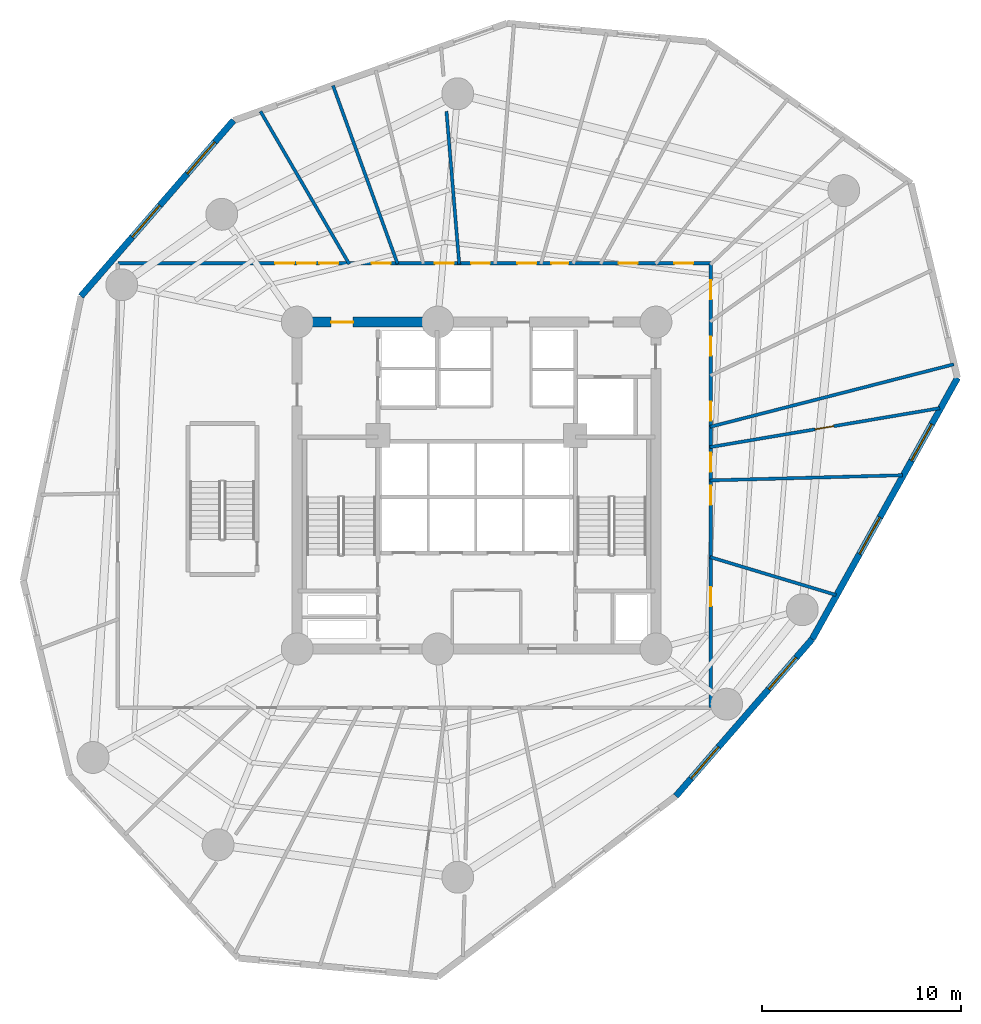
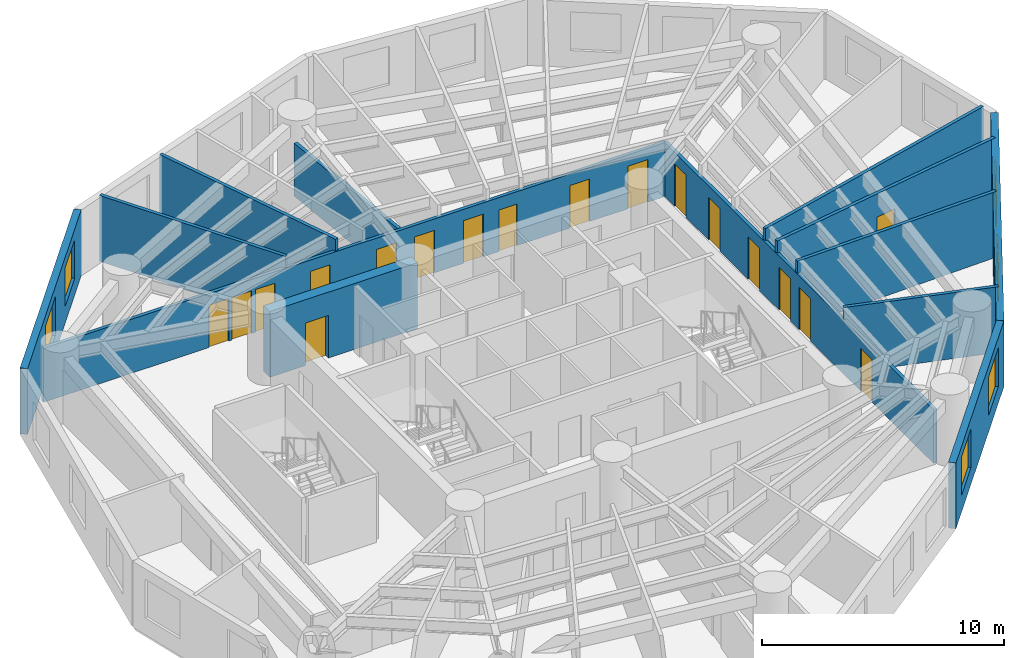
# One storey, part 5 of 8: 18 doors, 13 walls, 6 windows, 24 openings.
"""IFC4 building model written with IfcOpenShell, lengths in metres."""

from ifc_helpers import new_model, si_unit, direction, frame, frame_2d, origin, origin_with_axes, place, context, subcontext, project, spatial, rectangle, extrude, source, transform, mapped, material, layer, layer_set, type_object, element, fill, save


model = new_model("IFC4")

# Units and contexts
model_context = context("Model", 3, precision=1e-05, world=origin(), true_north=direction((0.0, 1.0)))
body_context = subcontext(model_context, "Body", "Model", "MODEL_VIEW")
ifc_project = project(units=[si_unit("LENGTHUNIT", "METRE"), si_unit("AREAUNIT", "SQUARE_METRE"), si_unit("VOLUMEUNIT", "CUBIC_METRE"), si_unit("PLANEANGLEUNIT", "RADIAN"), si_unit("MASSUNIT", "GRAM", prefix="KILO")], contexts=[model_context])

# Site, building, storey
site_placement = place(None, origin())
site = spatial("IfcSite", under=ifc_project, at=site_placement, CompositionType="ELEMENT")
building_placement = place(site_placement, origin())
building = spatial("IfcBuilding", under=site, at=building_placement, Name="Karkom Vertical University and Central Library", CompositionType="ELEMENT")
storey_placement = place(building_placement, frame((0.0, 0.0, 84.10009765625)))
storey = spatial("IfcBuildingStorey", under=building, at=storey_placement, Name="L22", CompositionType="ELEMENT", Elevation=84.10009765625)

# Wall, openings, windows
ifc_material_1 = material(Name="Brick-faced precast concrete C45/55", Category="masonry")
ifc_layer_1 = layer(ifc_material_1, 0.320068359375)
ifc_layer_set_1 = layer_set([ifc_layer_1], Name="Brick-faced precast concrete C45/55")
wall_type_1 = type_object("IfcWallType", Name="ENV-WL-BRK-320", PredefinedType="SOLIDWALL", material=ifc_layer_set_1)
wall_1_placement = place(storey_placement, frame((16.306884765625, 44.819091796875, 0.0), z_axis=(0.0, 0.0, 1.0), x_axis=(-0.655537404489, -0.755162705194, 0.0)))
wall_1 = element("IfcWall", 1, at=wall_1_placement, inside=storey, type_object=wall_type_1, Name="Level 22 Brick-Faced Precast Facade Wall 01", PredefinedType="SOLIDWALL", context=body_context, shape_type="SweptSolid", body=[
    extrude(rectangle(XDim=11.681884765625, YDim=0.320068359375, at=frame_2d((5.8408203125, 0.0))), origin(), (0.0, 0.0, 1.0), 3.324951171875),
])
opening_1_placement = place(wall_1_placement, frame((1.4365234375, 0.0, 0.85009765625)))
opening_1 = element("IfcOpeningElement", 2, at=opening_1_placement, cuts=wall_1, Name="Opening WN-03", PredefinedType="OPENING", context=body_context, shape_type="SweptSolid", body=[
    extrude(rectangle(XDim=2.10009765625, YDim=1.949951171875, at=frame_2d((1.050048828125, 0.97509765625))), frame((0.0, 0.169921875, 0.0), z_axis=(0.0, -1.0, 0.0), x_axis=(1.0, 0.0, 0.0)), (0.0, 0.0, 1.0), 0.340087890625),
])
opening_2_placement = place(wall_1_placement, frame((5.649658203125, 0.0, 0.85009765625)))
opening_2 = element("IfcOpeningElement", 3, at=opening_2_placement, cuts=wall_1, Name="Opening WN-03", PredefinedType="OPENING", context=body_context, shape_type="SweptSolid", body=[
    extrude(rectangle(XDim=2.10009765625, YDim=1.949951171875, at=frame_2d((1.050048828125, 0.97509765625))), frame((0.0, 0.169921875, 0.0), z_axis=(0.0, -1.0, 0.0), x_axis=(1.0, 0.0, 0.0)), (0.0, 0.0, 1.0), 0.340087890625),
])
ifc_material_2 = material(Name="Aluminium thermal-break frame with solar-control IGU", Category="aluminium")
window_type = type_object("IfcWindowType", Name="ENV-WIN-WN-03", PartitioningType="SINGLE_PANEL", PredefinedType="WINDOW", material=ifc_material_2)
shared_shape_1 = source(origin_with_axes(), body_context, "Body", "SweptSolid", [
    extrude(rectangle(XDim=2.10009765625, YDim=1.949951171875, at=frame_2d((1.050048828125, 0.97509765625))), frame((0.0, 0.030029296875, 0.0), z_axis=(0.0, -1.0, 0.0), x_axis=(1.0, 0.0, 0.0)), (0.0, 0.0, 1.0), 0.06005859375),
])
window_1_placement = place(opening_1_placement, origin())
window_1 = element("IfcWindow", 4, at=window_1_placement, inside=storey, type_object=window_type, Name="Level 22 Punched Window 1.1", OverallHeight=1.949951171875, OverallWidth=2.10009765625, PartitioningType="SINGLE_PANEL", PredefinedType="WINDOW", context=body_context, shape_type="MappedRepresentation", body=[
    mapped(shared_shape_1, transform((0.0, 0.0, 0.0), scale=1.0)),
])
fill(opening_1, window_1)
window_2_placement = place(opening_2_placement, origin())
window_2 = element("IfcWindow", 5, at=window_2_placement, inside=storey, type_object=window_type, Name="Level 22 Punched Window 1.2", OverallHeight=1.949951171875, OverallWidth=2.10009765625, PartitioningType="SINGLE_PANEL", PredefinedType="WINDOW", context=body_context, shape_type="MappedRepresentation", body=[
    mapped(shared_shape_1, transform((0.0, 0.0, 0.0), scale=1.0)),
])
fill(opening_2, window_2)

wall_2_placement = place(storey_placement, frame((38.4970703125, 10.916259765625, 0.0), z_axis=(0.0, 0.0, 1.0), x_axis=(0.655526512459, 0.755172160148, 0.0)))
wall_2 = element("IfcWall", 6, at=wall_2_placement, inside=storey, type_object=wall_type_1, Name="Level 22 Brick-Faced Precast Facade Wall 07", PredefinedType="SOLIDWALL", context=body_context, shape_type="SweptSolid", body=[
    extrude(rectangle(XDim=10.429931640625, YDim=0.320068359375, at=frame_2d((5.21484375, 0.0))), origin(), (0.0, 0.0, 1.0), 3.324951171875),
])
opening_3_placement = place(wall_2_placement, frame((1.16748046875, 0.0, 0.85009765625)))
opening_3 = element("IfcOpeningElement", 7, at=opening_3_placement, cuts=wall_2, Name="Opening WN-03", PredefinedType="OPENING", context=body_context, shape_type="SweptSolid", body=[
    extrude(rectangle(XDim=2.10009765625, YDim=1.949951171875, at=frame_2d((1.050048828125, 0.97509765625))), frame((0.0, 0.169921875, 0.0), z_axis=(0.0, -1.0, 0.0), x_axis=(1.0, 0.0, 0.0)), (0.0, 0.0, 1.0), 0.340087890625),
])
opening_4_placement = place(wall_2_placement, frame((7.1025390625, 0.0, 0.85009765625)))
opening_4 = element("IfcOpeningElement", 8, at=opening_4_placement, cuts=wall_2, Name="Opening WN-03", PredefinedType="OPENING", context=body_context, shape_type="SweptSolid", body=[
    extrude(rectangle(XDim=2.10009765625, YDim=1.949951171875, at=frame_2d((1.050048828125, 0.97509765625))), frame((0.0, 0.169921875, 0.0), z_axis=(0.0, -1.0, 0.0), x_axis=(1.0, 0.0, 0.0)), (0.0, 0.0, 1.0), 0.340087890625),
])
window_3_placement = place(opening_3_placement, origin())
window_3 = element("IfcWindow", 9, at=window_3_placement, inside=storey, type_object=window_type, Name="Level 22 Punched Window 7.1", OverallHeight=1.949951171875, OverallWidth=2.10009765625, PartitioningType="SINGLE_PANEL", PredefinedType="WINDOW", context=body_context, shape_type="MappedRepresentation", body=[
    mapped(shared_shape_1, transform((0.0, 0.0, 0.0), scale=1.0)),
])
fill(opening_3, window_3)
window_4_placement = place(opening_4_placement, origin())
window_4 = element("IfcWindow", 10, at=window_4_placement, inside=storey, type_object=window_type, Name="Level 22 Punched Window 7.2", OverallHeight=1.949951171875, OverallWidth=2.10009765625, PartitioningType="SINGLE_PANEL", PredefinedType="WINDOW", context=body_context, shape_type="MappedRepresentation", body=[
    mapped(shared_shape_1, transform((0.0, 0.0, 0.0), scale=1.0)),
])
fill(opening_4, window_4)

wall_3_placement = place(storey_placement, frame((45.334228515625, 18.792724609375, 0.0), z_axis=(0.0, 0.0, 1.0), x_axis=(0.486333635772, 0.873773194094, 0.0)))
wall_3 = element("IfcWall", 11, at=wall_3_placement, inside=storey, type_object=wall_type_1, Name="Level 22 Brick-Faced Precast Facade Wall 08", PredefinedType="SOLIDWALL", context=body_context, shape_type="SweptSolid", body=[
    extrude(rectangle(XDim=15.00244140625, YDim=0.320068359375, at=frame_2d((7.501220703125, 0.0))), origin(), (0.0, 0.0, 1.0), 3.324951171875),
])
opening_5_placement = place(wall_3_placement, frame((4.893310546875, 0.0, 0.85009765625)))
opening_5 = element("IfcOpeningElement", 12, at=opening_5_placement, cuts=wall_3, Name="Opening WN-03", PredefinedType="OPENING", context=body_context, shape_type="SweptSolid", body=[
    extrude(rectangle(XDim=2.10009765625, YDim=1.949951171875, at=frame_2d((1.050048828125, 0.97509765625))), frame((0.0, 0.169921875, 0.0), z_axis=(0.0, -1.0, 0.0), x_axis=(1.0, 0.0, 0.0)), (0.0, 0.0, 1.0), 0.340087890625),
])
opening_6_placement = place(wall_3_placement, frame((10.24609375, 0.0, 0.85009765625)))
opening_6 = element("IfcOpeningElement", 13, at=opening_6_placement, cuts=wall_3, Name="Opening WN-03", PredefinedType="OPENING", context=body_context, shape_type="SweptSolid", body=[
    extrude(rectangle(XDim=2.10009765625, YDim=1.949951171875, at=frame_2d((1.050048828125, 0.97509765625))), frame((0.0, 0.169921875, 0.0), z_axis=(0.0, -1.0, 0.0), x_axis=(1.0, 0.0, 0.0)), (0.0, 0.0, 1.0), 0.340087890625),
])
window_5_placement = place(opening_5_placement, origin())
window_5 = element("IfcWindow", 14, at=window_5_placement, inside=storey, type_object=window_type, Name="Level 22 Punched Window 8.1", OverallHeight=1.949951171875, OverallWidth=2.10009765625, PartitioningType="SINGLE_PANEL", PredefinedType="WINDOW", context=body_context, shape_type="MappedRepresentation", body=[
    mapped(shared_shape_1, transform((0.0, 0.0, 0.0), scale=1.0)),
])
fill(opening_5, window_5)
window_6_placement = place(opening_6_placement, origin())
window_6 = element("IfcWindow", 15, at=window_6_placement, inside=storey, type_object=window_type, Name="Level 22 Punched Window 8.2", OverallHeight=1.949951171875, OverallWidth=2.10009765625, PartitioningType="SINGLE_PANEL", PredefinedType="WINDOW", context=body_context, shape_type="MappedRepresentation", body=[
    mapped(shared_shape_1, transform((0.0, 0.0, 0.0), scale=1.0)),
])
fill(opening_6, window_6)

# Wall, openings, doors
ifc_material_3 = material(Name="Insulated metal-stud drywall 160mm", Category="gypsum")
ifc_layer_2 = layer(ifc_material_3, 0.159912109375)
ifc_layer_set_2 = layer_set([ifc_layer_2], Name="Insulated metal-stud drywall 160mm")
wall_type_2 = type_object("IfcWallType", Name="INT-WL-COR-160", PredefinedType="PARTITIONING", material=ifc_layer_set_2)
wall_4_placement = place(storey_placement, frame((10.5, 37.64990234375, 0.0), z_axis=(0.0, 0.0, 1.0), x_axis=(1.0, 0.0, 0.0)))
wall_4 = element("IfcWall", 16, at=wall_4_placement, inside=storey, type_object=wall_type_2, Name="Level 22 Interior Partition Wall L22-CORW-CW-003", PredefinedType="PARTITIONING", context=body_context, shape_type="SweptSolid", body=[
    extrude(rectangle(XDim=29.75, YDim=0.159912109375, at=frame_2d((14.875, 0.0))), origin(), (0.0, 0.0, 1.0), 2.724853515625),
])
opening_7_placement = place(wall_4_placement, frame((27.918212890625, 0.0, 0.0)))
opening_7 = element("IfcOpeningElement", 17, at=opening_7_placement, cuts=wall_4, Name="Opening D-RM1", PredefinedType="OPENING", context=body_context, shape_type="SweptSolid", body=[
    extrude(rectangle(XDim=0.949951171875, YDim=2.14990234375, at=frame_2d((0.47509765625, 1.074951171875))), frame((0.0, 0.08984375, 0.0), z_axis=(0.0, -1.0, 0.0), x_axis=(1.0, 0.0, 0.0)), (0.0, 0.0, 1.0), 0.179931640625),
])
opening_8_placement = place(wall_4_placement, frame((25.129150390625, 0.0, 0.0)))
opening_8 = element("IfcOpeningElement", 18, at=opening_8_placement, cuts=wall_4, Name="Opening D-RM1", PredefinedType="OPENING", context=body_context, shape_type="SweptSolid", body=[
    extrude(rectangle(XDim=0.949951171875, YDim=2.14990234375, at=frame_2d((0.47509765625, 1.074951171875))), frame((0.0, 0.08984375, 0.0), z_axis=(0.0, -1.0, 0.0), x_axis=(1.0, 0.0, 0.0)), (0.0, 0.0, 1.0), 0.179931640625),
])
opening_9_placement = place(wall_4_placement, frame((21.74755859375, 0.0, 0.0)))
opening_9 = element("IfcOpeningElement", 19, at=opening_9_placement, cuts=wall_4, Name="Opening D-BATH", PredefinedType="OPENING", context=body_context, shape_type="SweptSolid", body=[
    extrude(rectangle(XDim=0.860107421875, YDim=2.10009765625, at=frame_2d((0.43017578125, 1.050048828125))), frame((0.0, 0.08984375, 0.0), z_axis=(0.0, -1.0, 0.0), x_axis=(1.0, 0.0, 0.0)), (0.0, 0.0, 1.0), 0.179931640625),
])
opening_10_placement = place(wall_4_placement, frame((20.047607421875, 0.0, 0.0)))
opening_10 = element("IfcOpeningElement", 20, at=opening_10_placement, cuts=wall_4, Name="Opening D-RM1", PredefinedType="OPENING", context=body_context, shape_type="SweptSolid", body=[
    extrude(rectangle(XDim=0.949951171875, YDim=2.14990234375, at=frame_2d((0.47509765625, 1.074951171875))), frame((0.0, 0.08984375, 0.0), z_axis=(0.0, -1.0, 0.0), x_axis=(1.0, 0.0, 0.0)), (0.0, 0.0, 1.0), 0.179931640625),
])
opening_11_placement = place(wall_4_placement, frame((17.722412109375, 0.0, 0.0)))
opening_11 = element("IfcOpeningElement", 21, at=opening_11_placement, cuts=wall_4, Name="Opening D-RM1", PredefinedType="OPENING", context=body_context, shape_type="SweptSolid", body=[
    extrude(rectangle(XDim=0.949951171875, YDim=2.14990234375, at=frame_2d((0.47509765625, 1.074951171875))), frame((0.0, 0.08984375, 0.0), z_axis=(0.0, -1.0, 0.0), x_axis=(1.0, 0.0, 0.0)), (0.0, 0.0, 1.0), 0.179931640625),
])
opening_12_placement = place(wall_4_placement, frame((15.905517578125, 0.0, 0.0)))
opening_12 = element("IfcOpeningElement", 22, at=opening_12_placement, cuts=wall_4, Name="Opening D-RM1", PredefinedType="OPENING", context=body_context, shape_type="SweptSolid", body=[
    extrude(rectangle(XDim=0.949951171875, YDim=2.14990234375, at=frame_2d((0.47509765625, 1.074951171875))), frame((0.0, 0.08984375, 0.0), z_axis=(0.0, -1.0, 0.0), x_axis=(1.0, 0.0, 0.0)), (0.0, 0.0, 1.0), 0.179931640625),
])
opening_13_placement = place(wall_4_placement, frame((12.734619140625, 0.0, 0.0)))
opening_13 = element("IfcOpeningElement", 23, at=opening_13_placement, cuts=wall_4, Name="Opening D-RM1", PredefinedType="OPENING", context=body_context, shape_type="SweptSolid", body=[
    extrude(rectangle(XDim=0.949951171875, YDim=2.14990234375, at=frame_2d((0.47509765625, 1.074951171875))), frame((0.0, 0.08984375, 0.0), z_axis=(0.0, -1.0, 0.0), x_axis=(1.0, 0.0, 0.0)), (0.0, 0.0, 1.0), 0.179931640625),
])
opening_14_placement = place(wall_4_placement, frame((10.110107421875, 0.0, 0.0)))
opening_14 = element("IfcOpeningElement", 24, at=opening_14_placement, cuts=wall_4, Name="Opening D-RM1", PredefinedType="OPENING", context=body_context, shape_type="SweptSolid", body=[
    extrude(rectangle(XDim=0.949951171875, YDim=2.14990234375, at=frame_2d((0.47509765625, 1.074951171875))), frame((0.0, 0.08984375, 0.0), z_axis=(0.0, -1.0, 0.0), x_axis=(1.0, 0.0, 0.0)), (0.0, 0.0, 1.0), 0.179931640625),
])
opening_15_placement = place(wall_4_placement, frame((8.989990234375, 0.0, 0.0)))
opening_15 = element("IfcOpeningElement", 25, at=opening_15_placement, cuts=wall_4, Name="Opening D-RM1", PredefinedType="OPENING", context=body_context, shape_type="SweptSolid", body=[
    extrude(rectangle(XDim=0.949951171875, YDim=2.14990234375, at=frame_2d((0.47509765625, 1.074951171875))), frame((0.0, 0.08984375, 0.0), z_axis=(0.0, -1.0, 0.0), x_axis=(1.0, 0.0, 0.0)), (0.0, 0.0, 1.0), 0.179931640625),
])
opening_16_placement = place(wall_4_placement, frame((7.8974609375, 0.0, 0.0)))
opening_16 = element("IfcOpeningElement", 26, at=opening_16_placement, cuts=wall_4, Name="Opening D-RM1", PredefinedType="OPENING", context=body_context, shape_type="SweptSolid", body=[
    extrude(rectangle(XDim=0.949951171875, YDim=2.14990234375, at=frame_2d((0.47509765625, 1.074951171875))), frame((0.0, 0.08984375, 0.0), z_axis=(0.0, -1.0, 0.0), x_axis=(1.0, 0.0, 0.0)), (0.0, 0.0, 1.0), 0.179931640625),
])
ifc_material_4 = material(Name="Moisture-resistant oak door", Category="wood")
door_type_1 = type_object("IfcDoorType", Name="INT-DR-BATH", OperationType="NOTDEFINED", PredefinedType="DOOR", material=ifc_material_4)
shared_shape_2 = source(origin_with_axes(), body_context, "Body", "SweptSolid", [
    extrude(rectangle(XDim=0.860107421875, YDim=2.10009765625, at=frame_2d((0.43017578125, 1.050048828125))), frame((0.0, 0.02490234375, 0.0), z_axis=(0.0, -1.0, 0.0), x_axis=(1.0, 0.0, 0.0)), (0.0, 0.0, 1.0), 0.050048828125),
])
door_1_placement = place(opening_9_placement, origin())
door_1 = element("IfcDoor", 27, at=door_1_placement, inside=storey, type_object=door_type_1, Name="Level 22 Room Entry Door 180", OperationType="SINGLE_SWING_RIGHT", OverallHeight=2.10009765625, OverallWidth=0.860107421875, PredefinedType="DOOR", context=body_context, shape_type="MappedRepresentation", body=[
    mapped(shared_shape_2, transform((0.0, 0.0, 0.0), scale=1.0)),
])
fill(opening_9, door_1)
ifc_material_5 = material(Name="Solid-core oak veneer door", Category="wood")
door_type_2 = type_object("IfcDoorType", Name="INT-DR-RM1", OperationType="NOTDEFINED", PredefinedType="DOOR", material=ifc_material_5)
shared_shape_3 = source(origin_with_axes(), body_context, "Body", "SweptSolid", [
    extrude(rectangle(XDim=0.949951171875, YDim=2.14990234375, at=frame_2d((0.47509765625, 1.074951171875))), frame((0.0, 0.02490234375, 0.0), z_axis=(0.0, -1.0, 0.0), x_axis=(1.0, 0.0, 0.0)), (0.0, 0.0, 1.0), 0.050048828125),
])
door_2_placement = place(opening_7_placement, origin())
door_2 = element("IfcDoor", 28, at=door_2_placement, inside=storey, type_object=door_type_2, Name="Level 22 Room Entry Door 160", OperationType="SINGLE_SWING_RIGHT", OverallHeight=2.14990234375, OverallWidth=0.949951171875, PredefinedType="DOOR", context=body_context, shape_type="MappedRepresentation", body=[
    mapped(shared_shape_3, transform((0.0, 0.0, 0.0), scale=1.0)),
])
fill(opening_7, door_2)
door_3_placement = place(opening_8_placement, origin())
door_3 = element("IfcDoor", 29, at=door_3_placement, inside=storey, type_object=door_type_2, Name="Level 22 Room Entry Door 170", OperationType="SINGLE_SWING_LEFT", OverallHeight=2.14990234375, OverallWidth=0.949951171875, PredefinedType="DOOR", context=body_context, shape_type="MappedRepresentation", body=[
    mapped(shared_shape_3, transform((0.0, 0.0, 0.0), scale=1.0)),
])
fill(opening_8, door_3)
door_4_placement = place(opening_10_placement, origin())
door_4 = element("IfcDoor", 30, at=door_4_placement, inside=storey, type_object=door_type_2, Name="Level 22 Room Entry Door 190", OperationType="SINGLE_SWING_LEFT", OverallHeight=2.14990234375, OverallWidth=0.949951171875, PredefinedType="DOOR", context=body_context, shape_type="MappedRepresentation", body=[
    mapped(shared_shape_3, transform((0.0, 0.0, 0.0), scale=1.0)),
])
fill(opening_10, door_4)
door_5_placement = place(opening_11_placement, origin())
door_5 = element("IfcDoor", 31, at=door_5_placement, inside=storey, type_object=door_type_2, Name="Level 22 Room Entry Door 200", OperationType="SINGLE_SWING_RIGHT", OverallHeight=2.14990234375, OverallWidth=0.949951171875, PredefinedType="DOOR", context=body_context, shape_type="MappedRepresentation", body=[
    mapped(shared_shape_3, transform((0.0, 0.0, 0.0), scale=1.0)),
])
fill(opening_11, door_5)
door_6_placement = place(opening_12_placement, origin())
door_6 = element("IfcDoor", 32, at=door_6_placement, inside=storey, type_object=door_type_2, Name="Level 22 Room Entry Door 210", OperationType="SINGLE_SWING_LEFT", OverallHeight=2.14990234375, OverallWidth=0.949951171875, PredefinedType="DOOR", context=body_context, shape_type="MappedRepresentation", body=[
    mapped(shared_shape_3, transform((0.0, 0.0, 0.0), scale=1.0)),
])
fill(opening_12, door_6)
door_7_placement = place(opening_13_placement, origin())
door_7 = element("IfcDoor", 33, at=door_7_placement, inside=storey, type_object=door_type_2, Name="Level 22 Room Entry Door 220", OperationType="SINGLE_SWING_RIGHT", OverallHeight=2.14990234375, OverallWidth=0.949951171875, PredefinedType="DOOR", context=body_context, shape_type="MappedRepresentation", body=[
    mapped(shared_shape_3, transform((0.0, 0.0, 0.0), scale=1.0)),
])
fill(opening_13, door_7)
door_8_placement = place(opening_14_placement, origin())
door_8 = element("IfcDoor", 34, at=door_8_placement, inside=storey, type_object=door_type_2, Name="Level 22 Room Entry Door 230", OperationType="SINGLE_SWING_LEFT", OverallHeight=2.14990234375, OverallWidth=0.949951171875, PredefinedType="DOOR", context=body_context, shape_type="MappedRepresentation", body=[
    mapped(shared_shape_3, transform((0.0, 0.0, 0.0), scale=1.0)),
])
fill(opening_14, door_8)
door_9_placement = place(opening_15_placement, origin())
door_9 = element("IfcDoor", 35, at=door_9_placement, inside=storey, type_object=door_type_2, Name="Level 22 Room Entry Door 240", OperationType="SINGLE_SWING_RIGHT", OverallHeight=2.14990234375, OverallWidth=0.949951171875, PredefinedType="DOOR", context=body_context, shape_type="MappedRepresentation", body=[
    mapped(shared_shape_3, transform((0.0, 0.0, 0.0), scale=1.0)),
])
fill(opening_15, door_9)
door_10_placement = place(opening_16_placement, origin())
door_10 = element("IfcDoor", 36, at=door_10_placement, inside=storey, type_object=door_type_2, Name="Level 22 Room Entry Door 250", OperationType="SINGLE_SWING_LEFT", OverallHeight=2.14990234375, OverallWidth=0.949951171875, PredefinedType="DOOR", context=body_context, shape_type="MappedRepresentation", body=[
    mapped(shared_shape_3, transform((0.0, 0.0, 0.0), scale=1.0)),
])
fill(opening_16, door_10)

wall_5_placement = place(storey_placement, frame((40.25, 37.64990234375, 0.0), z_axis=(0.0, 0.0, 1.0), x_axis=(0.0, -1.0, 0.0)))
wall_5 = element("IfcWall", 37, at=wall_5_placement, inside=storey, type_object=wall_type_2, Name="Level 22 Interior Partition Wall L22-CORW-CW-004", PredefinedType="PARTITIONING", context=body_context, shape_type="SweptSolid", body=[
    extrude(rectangle(XDim=22.2998046875, YDim=0.159912109375, at=frame_2d((11.14990234375, 0.0))), origin(), (0.0, 0.0, 1.0), 2.724853515625),
])
opening_17_placement = place(wall_5_placement, frame((16.25, 0.0, 0.0)))
opening_17 = element("IfcOpeningElement", 38, at=opening_17_placement, cuts=wall_5, Name="Opening D-RM1", PredefinedType="OPENING", context=body_context, shape_type="SweptSolid", body=[
    extrude(rectangle(XDim=0.949951171875, YDim=2.14990234375, at=frame_2d((0.47509765625, 1.074951171875))), frame((0.0, 0.08984375, 0.0), z_axis=(0.0, -1.0, 0.0), x_axis=(1.0, 0.0, 0.0)), (0.0, 0.0, 1.0), 0.179931640625),
])
opening_18_placement = place(wall_5_placement, frame((11.1650390625, 0.0, 0.0)))
opening_18 = element("IfcOpeningElement", 39, at=opening_18_placement, cuts=wall_5, Name="Opening D-RM1", PredefinedType="OPENING", context=body_context, shape_type="SweptSolid", body=[
    extrude(rectangle(XDim=0.949951171875, YDim=2.14990234375, at=frame_2d((0.47509765625, 1.074951171875))), frame((0.0, 0.08984375, 0.0), z_axis=(0.0, -1.0, 0.0), x_axis=(1.0, 0.0, 0.0)), (0.0, 0.0, 1.0), 0.179931640625),
])
opening_19_placement = place(wall_5_placement, frame((9.5126953125, 0.0, 0.0)))
opening_19 = element("IfcOpeningElement", 40, at=opening_19_placement, cuts=wall_5, Name="Opening D-RM1", PredefinedType="OPENING", context=body_context, shape_type="SweptSolid", body=[
    extrude(rectangle(XDim=0.949951171875, YDim=2.14990234375, at=frame_2d((0.47509765625, 1.074951171875))), frame((0.0, 0.08984375, 0.0), z_axis=(0.0, -1.0, 0.0), x_axis=(1.0, 0.0, 0.0)), (0.0, 0.0, 1.0), 0.179931640625),
])
opening_20_placement = place(wall_5_placement, frame((6.93994140625, 0.0, 0.0)))
opening_20 = element("IfcOpeningElement", 41, at=opening_20_placement, cuts=wall_5, Name="Opening D-RM1", PredefinedType="OPENING", context=body_context, shape_type="SweptSolid", body=[
    extrude(rectangle(XDim=0.949951171875, YDim=2.14990234375, at=frame_2d((0.47509765625, 1.074951171875))), frame((0.0, 0.08984375, 0.0), z_axis=(0.0, -1.0, 0.0), x_axis=(1.0, 0.0, 0.0)), (0.0, 0.0, 1.0), 0.179931640625),
])
opening_21_placement = place(wall_5_placement, frame((3.677490234375, 0.0, 0.0)))
opening_21 = element("IfcOpeningElement", 42, at=opening_21_placement, cuts=wall_5, Name="Opening D-RM1", PredefinedType="OPENING", context=body_context, shape_type="SweptSolid", body=[
    extrude(rectangle(XDim=0.949951171875, YDim=2.14990234375, at=frame_2d((0.47509765625, 1.074951171875))), frame((0.0, 0.08984375, 0.0), z_axis=(0.0, -1.0, 0.0), x_axis=(1.0, 0.0, 0.0)), (0.0, 0.0, 1.0), 0.179931640625),
])
opening_22_placement = place(wall_5_placement, frame((0.861572265625, 0.0, 0.0)))
opening_22 = element("IfcOpeningElement", 43, at=opening_22_placement, cuts=wall_5, Name="Opening D-RM1", PredefinedType="OPENING", context=body_context, shape_type="SweptSolid", body=[
    extrude(rectangle(XDim=0.949951171875, YDim=2.14990234375, at=frame_2d((0.47509765625, 1.074951171875))), frame((0.0, 0.08984375, 0.0), z_axis=(0.0, -1.0, 0.0), x_axis=(1.0, 0.0, 0.0)), (0.0, 0.0, 1.0), 0.179931640625),
])
door_11_placement = place(opening_17_placement, origin())
door_11 = element("IfcDoor", 44, at=door_11_placement, inside=storey, type_object=door_type_2, Name="Level 22 Room Entry Door 090", OperationType="SINGLE_SWING_RIGHT", OverallHeight=2.14990234375, OverallWidth=0.949951171875, PredefinedType="DOOR", context=body_context, shape_type="MappedRepresentation", body=[
    mapped(shared_shape_3, transform((0.0, 0.0, 0.0), scale=1.0)),
])
fill(opening_17, door_11)
door_12_placement = place(opening_18_placement, origin())
door_12 = element("IfcDoor", 45, at=door_12_placement, inside=storey, type_object=door_type_2, Name="Level 22 Room Entry Door 100", OperationType="SINGLE_SWING_LEFT", OverallHeight=2.14990234375, OverallWidth=0.949951171875, PredefinedType="DOOR", context=body_context, shape_type="MappedRepresentation", body=[
    mapped(shared_shape_3, transform((0.0, 0.0, 0.0), scale=1.0)),
])
fill(opening_18, door_12)
door_13_placement = place(opening_19_placement, origin())
door_13 = element("IfcDoor", 46, at=door_13_placement, inside=storey, type_object=door_type_2, Name="Level 22 Room Entry Door 110", OperationType="SINGLE_SWING_RIGHT", OverallHeight=2.14990234375, OverallWidth=0.949951171875, PredefinedType="DOOR", context=body_context, shape_type="MappedRepresentation", body=[
    mapped(shared_shape_3, transform((0.0, 0.0, 0.0), scale=1.0)),
])
fill(opening_19, door_13)
door_14_placement = place(opening_20_placement, origin())
door_14 = element("IfcDoor", 47, at=door_14_placement, inside=storey, type_object=door_type_2, Name="Level 22 Room Entry Door 130", OperationType="SINGLE_SWING_LEFT", OverallHeight=2.14990234375, OverallWidth=0.949951171875, PredefinedType="DOOR", context=body_context, shape_type="MappedRepresentation", body=[
    mapped(shared_shape_3, transform((0.0, 0.0, 0.0), scale=1.0)),
])
fill(opening_20, door_14)
door_15_placement = place(opening_21_placement, origin())
door_15 = element("IfcDoor", 48, at=door_15_placement, inside=storey, type_object=door_type_2, Name="Level 22 Room Entry Door 140", OperationType="SINGLE_SWING_RIGHT", OverallHeight=2.14990234375, OverallWidth=0.949951171875, PredefinedType="DOOR", context=body_context, shape_type="MappedRepresentation", body=[
    mapped(shared_shape_3, transform((0.0, 0.0, 0.0), scale=1.0)),
])
fill(opening_21, door_15)
door_16_placement = place(opening_22_placement, origin())
door_16 = element("IfcDoor", 49, at=door_16_placement, inside=storey, type_object=door_type_2, Name="Level 22 Room Entry Door 150", OperationType="SINGLE_SWING_LEFT", OverallHeight=2.14990234375, OverallWidth=0.949951171875, PredefinedType="DOOR", context=body_context, shape_type="MappedRepresentation", body=[
    mapped(shared_shape_3, transform((0.0, 0.0, 0.0), scale=1.0)),
])
fill(opening_22, door_16)

# Wall
wall_6_placement = place(storey_placement, frame((40.220947265625, 29.445068359375, 0.0), z_axis=(0.0, 0.0, 1.0), x_axis=(0.968631987668, 0.248499642788, 0.0)))
element("IfcWall", 50, at=wall_6_placement, inside=storey, type_object=wall_type_2, Name="Level 22 Interior Partition Wall L22-PW-015", PredefinedType="PARTITIONING", context=body_context, shape_type="SweptSolid", body=[
    extrude(rectangle(XDim=12.61767578125, YDim=0.159912109375, at=frame_2d((6.308837890625, 0.0))), origin(), (0.0, 0.0, 1.0), 3.324951171875),
])

# Wall, opening, door
wall_7_placement = place(storey_placement, frame((40.20556640625, 28.42431640625, 0.0), z_axis=(0.0, 0.0, 1.0), x_axis=(0.985917744141, 0.167230983337, 0.0)))
wall_7 = element("IfcWall", 51, at=wall_7_placement, inside=storey, type_object=wall_type_2, Name="Level 22 Interior Partition Wall L22-PW-014", PredefinedType="PARTITIONING", context=body_context, shape_type="SweptSolid", body=[
    extrude(rectangle(XDim=11.6982421875, YDim=0.159912109375, at=frame_2d((5.84912109375, 0.0))), origin(), (0.0, 0.0, 1.0), 3.324951171875),
])
opening_23_placement = place(wall_7_placement, frame((5.34912109375, 0.0, 0.0)))
opening_23 = element("IfcOpeningElement", 52, at=opening_23_placement, cuts=wall_7, Name="Opening D-RM1", PredefinedType="OPENING", context=body_context, shape_type="SweptSolid", body=[
    extrude(rectangle(XDim=0.949951171875, YDim=2.14990234375, at=frame_2d((0.47509765625, 1.074951171875))), frame((0.0, 0.08984375, 0.0), z_axis=(0.0, -1.0, 0.0), x_axis=(1.0, 0.0, 0.0)), (0.0, 0.0, 1.0), 0.179931640625),
])
door_17_placement = place(opening_23_placement, origin())
door_17 = element("IfcDoor", 53, at=door_17_placement, inside=storey, type_object=door_type_2, Name="Level 22 Room Entry Door 120", OperationType="SINGLE_SWING_RIGHT", OverallHeight=2.14990234375, OverallWidth=0.949951171875, PredefinedType="DOOR", context=body_context, shape_type="MappedRepresentation", body=[
    mapped(shared_shape_3, transform((0.0, 0.0, 0.0), scale=1.0)),
])
fill(opening_23, door_17)

# Walls
wall_8_placement = place(storey_placement, frame((40.205078125, 26.755615234375, 0.0), z_axis=(0.0, 0.0, 1.0), x_axis=(0.999637141046, 0.026936708071, 0.0)))
element("IfcWall", 54, at=wall_8_placement, inside=storey, type_object=wall_type_2, Name="Level 22 Interior Partition Wall L22-PW-013", PredefinedType="PARTITIONING", context=body_context, shape_type="SweptSolid", body=[
    extrude(rectangle(XDim=9.670654296875, YDim=0.159912109375, at=frame_2d((4.83544921875, 0.0))), origin(), (0.0, 0.0, 1.0), 3.324951171875),
])
wall_9_placement = place(storey_placement, frame((24.535400390625, 37.621826171875, 0.0), z_axis=(0.0, 0.0, 1.0), x_axis=(-0.340568222743, 0.940219807097, 0.0)))
element("IfcWall", 55, at=wall_9_placement, inside=storey, type_object=wall_type_2, Name="Level 22 Interior Partition Wall L22-PW-027", PredefinedType="PARTITIONING", context=body_context, shape_type="SweptSolid", body=[
    extrude(rectangle(XDim=9.5126953125, YDim=0.159912109375, at=frame_2d((4.75634765625, 0.0))), origin(), (0.0, 0.0, 1.0), 3.324951171875),
])
wall_10_placement = place(storey_placement, frame((22.11083984375, 37.611083984375, 0.0), z_axis=(0.0, 0.0, 1.0), x_axis=(-0.502517011977, 0.864567321077, 0.0)))
element("IfcWall", 56, at=wall_10_placement, inside=storey, type_object=wall_type_2, Name="Level 22 Interior Partition Wall L22-PW-028", PredefinedType="PARTITIONING", context=body_context, shape_type="SweptSolid", body=[
    extrude(rectangle(XDim=8.860595703125, YDim=0.159912109375, at=frame_2d((4.43017578125, 0.0))), origin(), (0.0, 0.0, 1.0), 3.324951171875),
])
wall_11_placement = place(storey_placement, frame((27.630615234375, 37.605224609375, 0.0), z_axis=(0.0, 0.0, 1.0), x_axis=(-0.083415578121, 0.996514847519, 0.0)))
element("IfcWall", 57, at=wall_11_placement, inside=storey, type_object=wall_type_2, Name="Level 22 Interior Partition Wall L22-PW-024", PredefinedType="PARTITIONING", context=body_context, shape_type="SweptSolid", body=[
    extrude(rectangle(XDim=7.697509765625, YDim=0.159912109375, at=frame_2d((3.8486328125, 0.0))), origin(), (0.0, 0.0, 1.0), 2.6748046875),
])
wall_12_placement = place(storey_placement, frame((40.22119140625, 22.908447265625, 0.0), z_axis=(0.0, 0.0, 1.0), x_axis=(0.957544636521, -0.288285048292, 0.0)))
element("IfcWall", 58, at=wall_12_placement, inside=storey, type_object=wall_type_2, Name="Level 22 Interior Partition Wall L22-PW-012", PredefinedType="PARTITIONING", context=body_context, shape_type="SweptSolid", body=[
    extrude(rectangle(XDim=6.595458984375, YDim=0.159912109375, at=frame_2d((3.2978515625, 0.0))), origin(), (0.0, 0.0, 1.0), 3.324951171875),
])

# Wall, opening, door
ifc_material_6 = material(Name="Concrete C50/60", Category="concrete")
ifc_layer_3 = layer(ifc_material_6, 0.5)
ifc_layer_set_3 = layer_set([ifc_layer_3], Name="Concrete C50/60")
wall_type_3 = type_object("IfcWallType", Name="STR-WL-CW-500", PredefinedType="SHEAR", material=ifc_layer_set_3)
wall_13_placement = place(storey_placement, frame((26.550048828125, 34.699951171875, 0.0), z_axis=(0.0, 0.0, 1.0), x_axis=(-1.0, 0.0, 0.0)))
wall_13 = element("IfcWall", 59, at=wall_13_placement, inside=storey, type_object=wall_type_3, Name="Level 22 Central Core Shear Wall NW2", PredefinedType="SHEAR", context=body_context, shape_type="SweptSolid", body=[
    extrude(rectangle(XDim=7.050048828125, YDim=0.5, at=frame_2d((3.52490234375, 0.0))), origin(), (0.0, 0.0, 1.0), 3.324951171875),
])
opening_24_placement = place(wall_13_placement, frame((4.25, 0.0, 0.0)))
opening_24 = element("IfcOpeningElement", 60, at=opening_24_placement, cuts=wall_13, Name="Opening FD-FFL", PredefinedType="OPENING", context=body_context, shape_type="SweptSolid", body=[
    extrude(rectangle(XDim=1.10009765625, YDim=2.14990234375, at=frame_2d((0.550048828125, 1.074951171875))), frame((0.0, 0.260009765625, 0.0), z_axis=(0.0, -1.0, 0.0), x_axis=(1.0, 0.0, 0.0)), (0.0, 0.0, 1.0), 0.52001953125),
])
ifc_material_7 = material(Name="Painted steel smoke-seal fire door", Category="steel")
door_type_3 = type_object("IfcDoorType", Name="INT-DR-FFL", OperationType="NOTDEFINED", PredefinedType="DOOR", material=ifc_material_7)
shared_shape_4 = source(origin_with_axes(), body_context, "Body", "SweptSolid", [
    extrude(rectangle(XDim=1.10009765625, YDim=2.14990234375, at=frame_2d((0.550048828125, 1.074951171875))), frame((0.0, 0.02490234375, 0.0), z_axis=(0.0, -1.0, 0.0), x_axis=(1.0, 0.0, 0.0)), (0.0, 0.0, 1.0), 0.050048828125),
])
door_18_placement = place(opening_24_placement, origin())
door_18 = element("IfcDoor", 61, at=door_18_placement, inside=storey, type_object=door_type_3, Name="Level 22 Firefighting Lobby Door", OperationType="SINGLE_SWING_RIGHT", OverallHeight=2.14990234375, OverallWidth=1.10009765625, PredefinedType="DOOR", context=body_context, shape_type="MappedRepresentation", body=[
    mapped(shared_shape_4, transform((0.0, 0.0, 0.0), scale=1.0)),
])
fill(opening_24, door_18)

save(model, "model.ifc")
